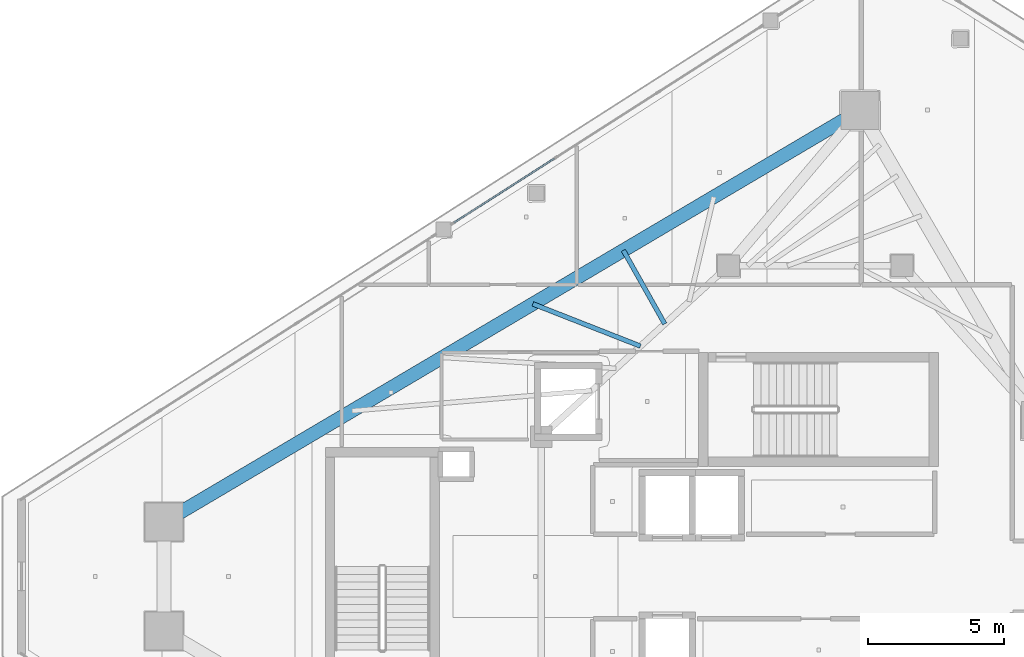
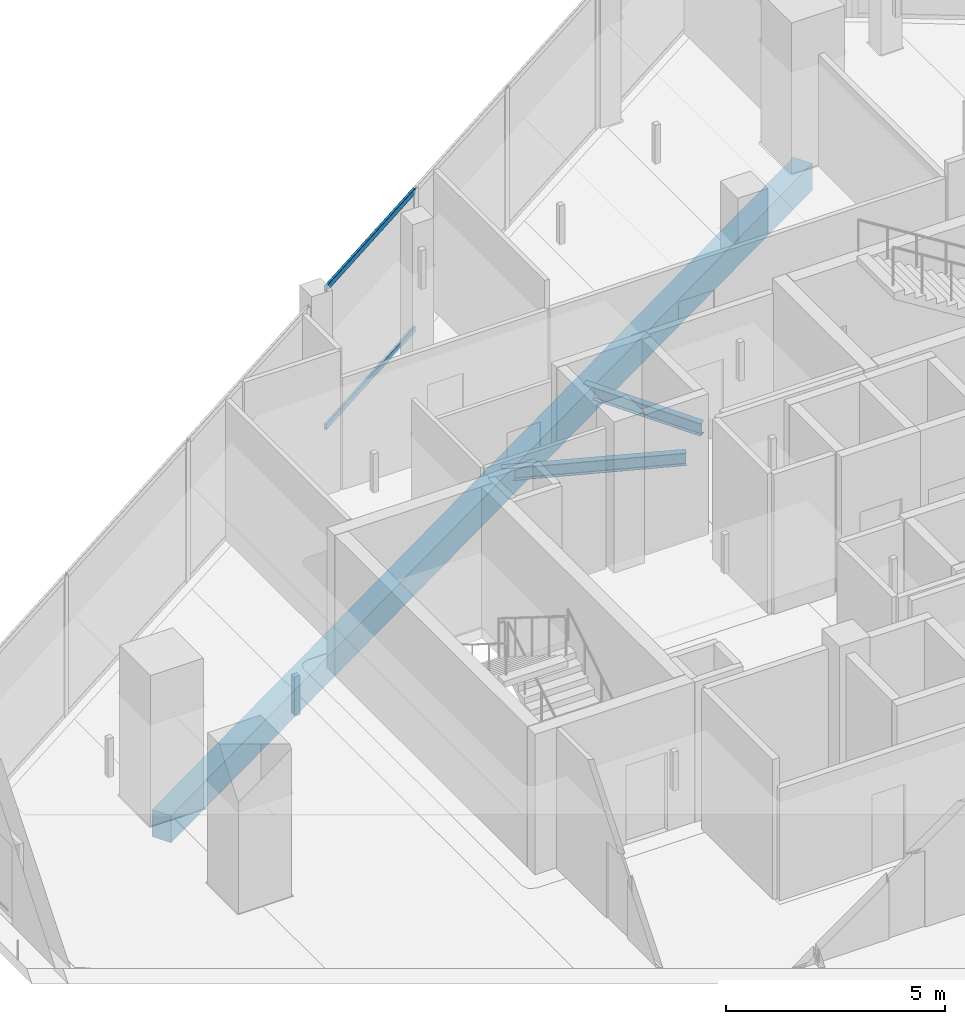
# One storey, part 12 of 25: 3 beams, 2 members, 1 element without a shape of its own.
"""IFC4 building model written with IfcOpenShell, lengths in metres."""

from ifc_helpers import new_model, si_unit, direction, frame, origin, origin_2d, place, context, subcontext, project, spatial, rectangle, hollow_rectangle, i_section, extrude, material, layer, layer_set, material_profile, profile_set, type_object, element, aggregate, save


model = new_model("IFC4")

# Units and contexts
model_context = context("Model", 3, precision=1e-05, world=origin(), true_north=direction((0.0, 1.0)))
body_context = subcontext(model_context, "Body", "Model", "MODEL_VIEW")
ifc_project = project(units=[si_unit("LENGTHUNIT", "METRE"), si_unit("AREAUNIT", "SQUARE_METRE"), si_unit("VOLUMEUNIT", "CUBIC_METRE"), si_unit("PLANEANGLEUNIT", "RADIAN"), si_unit("MASSUNIT", "GRAM", prefix="KILO")], contexts=[model_context])

# Site, building, storey
site_placement = place(None, origin())
site = spatial("IfcSite", under=ifc_project, at=site_placement, CompositionType="ELEMENT")
building_placement = place(site_placement, origin())
building = spatial("IfcBuilding", under=site, at=building_placement, Name="Qorvath Tower", CompositionType="ELEMENT")
storey_placement = place(building_placement, frame((0.0, 0.0, 297.60009765625)))
storey = spatial("IfcBuildingStorey", under=building, at=storey_placement, Name="L69", CompositionType="ELEMENT", Elevation=297.60009765625)

# Beams
ifc_material_1 = material(Name="Steel ASTM A992 Grade 50", Category="steel")
ifc_material_profile_1 = material_profile(ifc_material_1, i_section(OverallWidth=0.1708984375, OverallDepth=0.35107421875, WebThickness=0.0068359375, FlangeThickness=0.009765625, FilletRadius=0.010009765625, at=origin_2d()), Name="W14x30")
ifc_profile_set_1 = profile_set([ifc_material_profile_1], Name="Steel ASTM A992 Grade 50")
beam_type_1 = type_object("IfcBeamType", Name="BM-FJ4", PredefinedType="JOIST", material=ifc_profile_set_1)
beam_1_placement = place(storey_placement, frame((-26.843017578125, 8.489013671875, -0.465576171875), z_axis=(-0.930720832638, 0.365730408489, 0.0), x_axis=(-0.365730408489, -0.930720832638, 0.0)))
element("IfcBeam", 1, at=beam_1_placement, inside=storey, type_object=beam_type_1, Name="Composite Floor Joist NW4 L69", PredefinedType="JOIST", context=body_context, shape_type="SweptSolid", body=[
    extrude(i_section(OverallWidth=0.1708984375, OverallDepth=0.35107421875, WebThickness=0.0068359375, FlangeThickness=0.009765625, FilletRadius=0.010009765625, at=origin_2d()), origin(), (0.0, 0.0, 1.0), 4.259033203125),
])
beam_2_placement = place(storey_placement, frame((-25.946044921875, 9.30810546875, -0.465576171875), z_axis=(-0.490626385489, 0.871370041866, 0.0), x_axis=(-0.871370041866, -0.490626385489, 0.0)))
element("IfcBeam", 2, at=beam_2_placement, inside=storey, type_object=beam_type_1, Name="Composite Floor Joist NW5 L69", PredefinedType="JOIST", context=body_context, shape_type="SweptSolid", body=[
    extrude(i_section(OverallWidth=0.1708984375, OverallDepth=0.35107421875, WebThickness=0.0068359375, FlangeThickness=0.009765625, FilletRadius=0.010009765625, at=origin_2d()), origin(), (0.0, 0.0, 1.0), 3.110595703125),
])
ifc_material_2 = material(Name="Concrete C45/55", Category="concrete")
ifc_material_profile_2 = material_profile(ifc_material_2, rectangle(XDim=0.5, YDim=0.75, at=origin_2d()), Name="RCB 750x500")
ifc_profile_set_2 = profile_set([ifc_material_profile_2], Name="Concrete C45/55")
beam_type_2 = type_object("IfcBeamType", Name="BM-RCB3", PredefinedType="SPANDREL", material=ifc_profile_set_2)
beam_3_placement = place(storey_placement, frame((-18.75048828125, 17.175537109375, -0.6650390625), z_axis=(-0.860780849348, -0.508975765038, 0.0), x_axis=(0.508975765038, -0.860780849348, 0.0)))
element("IfcBeam", 3, at=beam_3_placement, inside=storey, type_object=beam_type_2, Name="Perimeter Loggia Frame Beam MC6-MC1 L69", PredefinedType="SPANDREL", context=body_context, shape_type="SweptSolid", body=[
    extrude(rectangle(XDim=0.5, YDim=0.75, at=origin_2d()), origin(), (0.0, 0.0, 1.0), 29.801025390625),
])

# Curtain wall, members
ifc_material_3 = material(Name="Anodised aluminium and triple low-E glass", Category="aluminium")
ifc_layer = layer(ifc_material_3, 0.179931640625)
ifc_layer_set = layer_set([ifc_layer], Name="CW-SYS-5")
curtain_wall_type = type_object("IfcCurtainWallType", Name="CW-SYS-5", PredefinedType="NOTDEFINED", material=ifc_layer_set)
curtain_wall_placement = place(storey_placement, origin())
curtain_wall = element("IfcCurtainWall", 4, at=curtain_wall_placement, inside=storey, type_object=curtain_wall_type, Name="Curtain Wall CW-5 CW-T-L69-16.2", PredefinedType="NOTDEFINED")
ifc_material_4 = material(Name="Anodised aluminium 6063-T6", Category="aluminium")
ifc_material_profile_3 = material_profile(ifc_material_4, hollow_rectangle(XDim=0.06494140625, YDim=0.159912109375, WallThickness=0.00341796875, InnerFilletRadius=0.00341796875, OuterFilletRadius=0.007080078125, at=origin_2d()), Name="CWT 160x65")
ifc_profile_set_3 = profile_set([ifc_material_profile_3], Name="Anodised aluminium 6063-T6")
member_type = type_object("IfcMemberType", Name="CWT-160", PredefinedType="USERDEFINED", material=ifc_profile_set_3)
member_1_placement = place(storey_placement, frame((-30.01220703125, 15.407958984375, 0.032470703125), z_axis=(-0.84260467329, -0.538532603052, 0.0), x_axis=(0.538532603052, -0.84260467329, 0.0)))
member_1 = element("IfcMember", 5, at=member_1_placement, type_object=member_type, Name="CW-5 transom 3.1", ObjectType="TRANSOM", PredefinedType="USERDEFINED", context=body_context, shape_type="SweptSolid", body=[
    extrude(hollow_rectangle(XDim=0.06494140625, YDim=0.159912109375, WallThickness=0.00341796875, InnerFilletRadius=0.00341796875, OuterFilletRadius=0.007080078125, at=origin_2d()), origin(), (0.0, 0.0, 1.0), 4.401611328125),
])
member_2_placement = place(storey_placement, frame((-30.01220703125, 15.407958984375, 3.87744140625), z_axis=(-0.84260467329, -0.538532603052, 0.0), x_axis=(0.538532603052, -0.84260467329, 0.0)))
member_2 = element("IfcMember", 6, at=member_2_placement, type_object=member_type, Name="CW-5 transom 3.2", ObjectType="TRANSOM", PredefinedType="USERDEFINED", context=body_context, shape_type="SweptSolid", body=[
    extrude(hollow_rectangle(XDim=0.06494140625, YDim=0.159912109375, WallThickness=0.00341796875, InnerFilletRadius=0.00341796875, OuterFilletRadius=0.007080078125, at=origin_2d()), origin(), (0.0, 0.0, 1.0), 4.401611328125),
])
aggregate(curtain_wall, [member_1, member_2])

save(model, "model.ifc")
